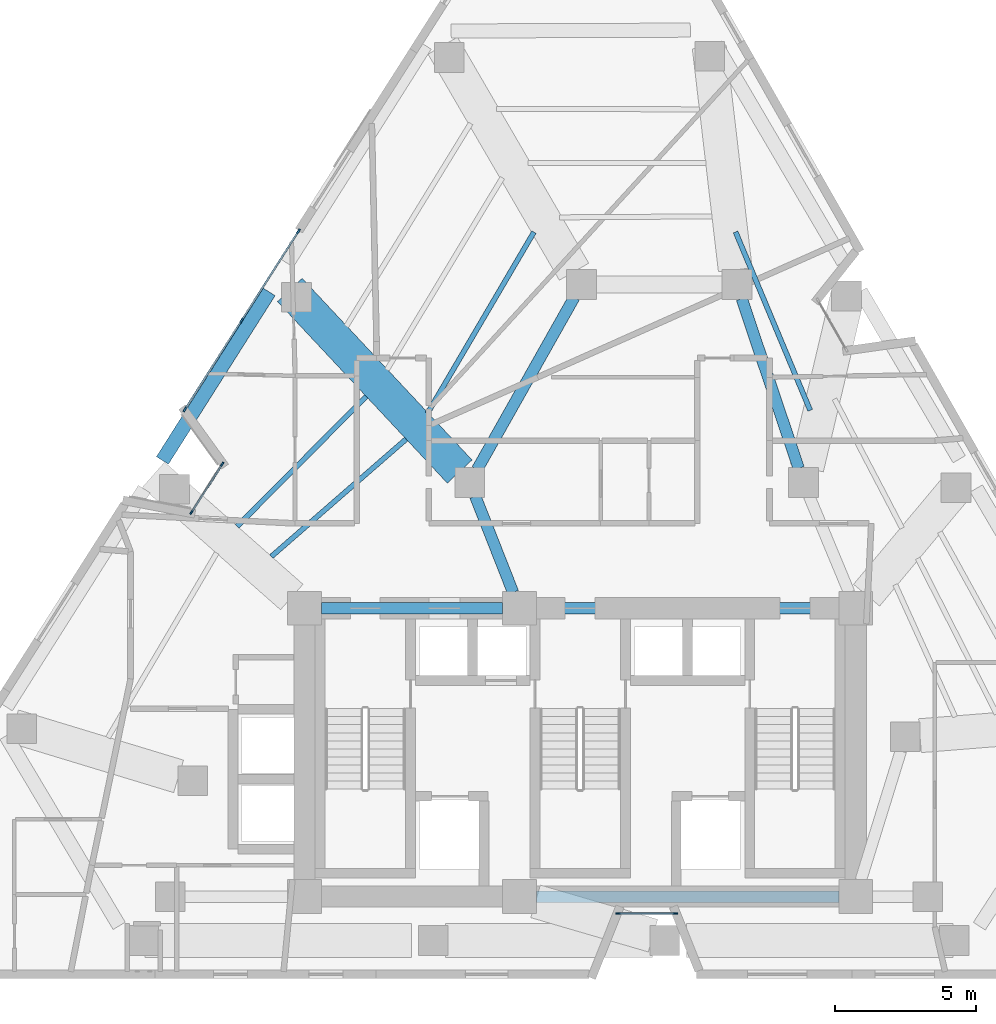
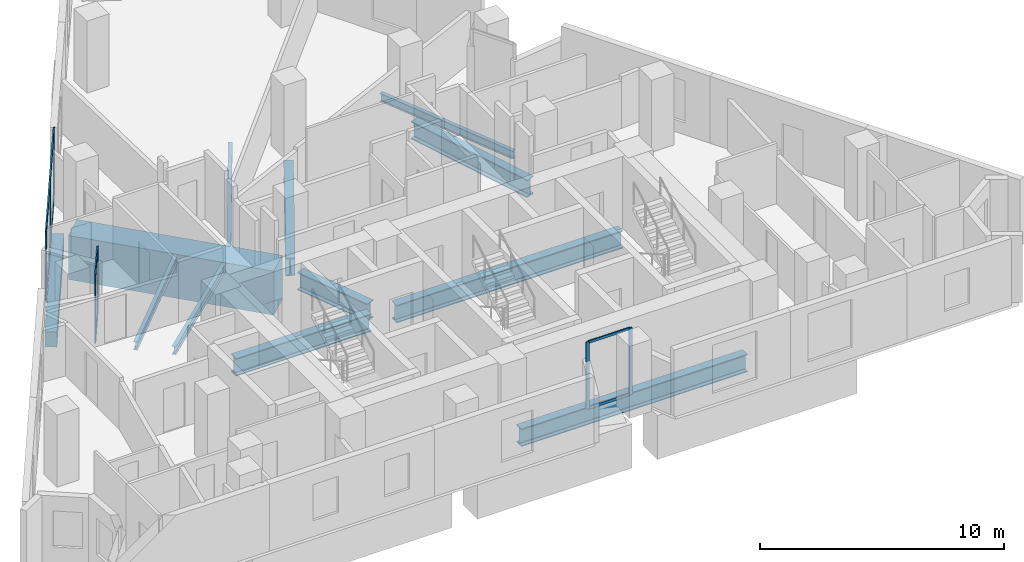
# One storey, part 2 of 12: 15 members, 12 beams, 3 elements without a shape of their own.
"""IFC4 building model written with IfcOpenShell, lengths in metres."""

from ifc_helpers import new_model, si_unit, direction, frame, origin, origin_2d, place, context, subcontext, project, spatial, rectangle, i_section, extrude, material, layer, layer_set, material_profile, profile_set, type_object, element, aggregate, save


model = new_model("IFC4")

# Units and contexts
model_context = context("Model", 3, precision=1e-05, world=origin(), true_north=direction((0.0, 1.0)))
body_context = subcontext(model_context, "Body", "Model", "MODEL_VIEW")
ifc_project = project(units=[si_unit("LENGTHUNIT", "METRE"), si_unit("AREAUNIT", "SQUARE_METRE"), si_unit("VOLUMEUNIT", "CUBIC_METRE"), si_unit("PLANEANGLEUNIT", "RADIAN"), si_unit("MASSUNIT", "GRAM", prefix="KILO")], contexts=[model_context])

# Site, building, storey
site_placement = place(None, origin())
site = spatial("IfcSite", under=ifc_project, at=site_placement, CompositionType="ELEMENT")
building_placement = place(site_placement, origin())
building = spatial("IfcBuilding", under=site, at=building_placement, Name="Almagre Mirador Tower", CompositionType="ELEMENT")
storey_placement = place(building_placement, frame((0.0, 0.0, 132.0)))
storey = spatial("IfcBuildingStorey", under=building, at=storey_placement, Name="L33", CompositionType="ELEMENT", Elevation=132.0)

# Beams
ifc_material_1 = material(Name="Steel ASTM A992 Grade 50", Category="steel")
ifc_material_profile_1 = material_profile(ifc_material_1, i_section(OverallWidth=0.178955078125, OverallDepth=0.408935546875, WebThickness=0.0087890625, FlangeThickness=0.014404296875, FilletRadius=0.013916015625, at=origin_2d()), Name="W16X45")
ifc_profile_set_1 = profile_set([ifc_material_profile_1], Name="Steel ASTM A992 Grade 50")
beam_type_1 = type_object("IfcBeamType", Name="BM-JST-W16X45", PredefinedType="JOIST", material=ifc_profile_set_1)
beam_1_placement = place(storey_placement, frame((45.439208984375, 21.748779296875, -0.45458984375), z_axis=(-0.385897257161, 0.922541764321, 0.0), x_axis=(-0.922541764321, -0.385897257161, 0.0)))
element("IfcBeam", 1, at=beam_1_placement, inside=storey, type_object=beam_type_1, Name="L33 secondary floor joist PC07-PC08.3", PredefinedType="JOIST", context=body_context, shape_type="SweptSolid", body=[
    extrude(i_section(OverallWidth=0.178955078125, OverallDepth=0.408935546875, WebThickness=0.0087890625, FlangeThickness=0.014404296875, FilletRadius=0.013916015625, at=origin_2d()), origin(), (0.0, 0.0, 1.0), 6.8408203125),
])
beam_2_placement = place(storey_placement, frame((35.668212890625, 28.054931640625, -0.45458984375), z_axis=(-0.506361405835, -0.862321359286, 0.0), x_axis=(0.862321359286, -0.506361405835, 0.0)))
element("IfcBeam", 2, at=beam_2_placement, inside=storey, type_object=beam_type_1, Name="L33 secondary floor joist PC09-PC10.3", PredefinedType="JOIST", context=body_context, shape_type="SweptSolid", body=[
    extrude(i_section(OverallWidth=0.178955078125, OverallDepth=0.408935546875, WebThickness=0.0087890625, FlangeThickness=0.014404296875, FilletRadius=0.013916015625, at=origin_2d()), origin(), (0.0, 0.0, 1.0), 7.43603515625),
])
beam_3_placement = place(storey_placement, frame((29.734130859375, 22.2412109375, -0.45458984375), z_axis=(-0.704556154296, -0.70964824064, 0.0), x_axis=(0.70964824064, -0.704556154296, 0.0)))
element("IfcBeam", 3, at=beam_3_placement, inside=storey, type_object=beam_type_1, Name="L33 secondary floor joist PC10-PC11.2", PredefinedType="JOIST", context=body_context, shape_type="SweptSolid", body=[
    extrude(i_section(OverallWidth=0.178955078125, OverallDepth=0.408935546875, WebThickness=0.0087890625, FlangeThickness=0.014404296875, FilletRadius=0.013916015625, at=origin_2d()), origin(), (0.0, 0.0, 1.0), 6.47265625),
])
beam_4_placement = place(storey_placement, frame((31.146484375, 20.731201171875, -0.45458984375), z_axis=(-0.754117373052, -0.656739665058, 0.0), x_axis=(0.656739665058, -0.754117373052, 0.0)))
element("IfcBeam", 4, at=beam_4_placement, inside=storey, type_object=beam_type_1, Name="L33 secondary floor joist PC10-PC11.3", PredefinedType="JOIST", context=body_context, shape_type="SweptSolid", body=[
    extrude(i_section(OverallWidth=0.178955078125, OverallDepth=0.408935546875, WebThickness=0.0087890625, FlangeThickness=0.014404296875, FilletRadius=0.013916015625, at=origin_2d()), origin(), (0.0, 0.0, 1.0), 6.322998046875),
])
ifc_material_2 = material(Name="Precast concrete C50/60", Category="concrete")
ifc_material_profile_2 = material_profile(ifc_material_2, rectangle(XDim=0.5, YDim=0.75, at=origin_2d()), Name="RC500X750")
ifc_profile_set_2 = profile_set([ifc_material_profile_2], Name="Precast concrete C50/60")
beam_type_2 = type_object("IfcBeamType", Name="BM-SPN-RC500X750", PredefinedType="SPANDREL", material=ifc_profile_set_2)
beam_5_placement = place(storey_placement, frame((26.301025390625, 25.93896484375, -0.625), z_axis=(-0.534879207885, -0.844928537198, 0.0), x_axis=(0.844928537198, -0.534879207885, 0.0)))
element("IfcBeam", 5, at=beam_5_placement, inside=storey, type_object=beam_type_2, Name="L33 perimeter spandrel beam PC10-PC11", PredefinedType="SPANDREL", context=body_context, shape_type="SweptSolid", body=[
    extrude(rectangle(XDim=0.5, YDim=0.75, at=origin_2d()), origin(), (0.0, 0.0, 1.0), 7.05615234375),
])
ifc_material_3 = material(Name="Steel ASTM A992 Grade 50", Category="steel")
ifc_material_profile_3 = material_profile(ifc_material_3, i_section(OverallWidth=0.404052734375, OverallDepth=0.884033203125, WebThickness=0.0244140625, FlangeThickness=0.0439453125, FilletRadius=0.02490234375, at=origin_2d()), Name="W33X291")
ifc_profile_set_3 = profile_set([ifc_material_profile_3], Name="Steel ASTM A992 Grade 50")
beam_type_3 = type_object("IfcBeamType", Name="BM-STL-W33X291", PredefinedType="BEAM", material=ifc_profile_set_3)
beam_6_placement = place(storey_placement, frame((35.75, 4.550048828125, -0.69189453125), z_axis=(1.0, 0.0, 0.0), x_axis=(0.0, 1.0, 0.0)))
element("IfcBeam", 6, at=beam_6_placement, inside=storey, type_object=beam_type_3, Name="L33 core tie girder CC2-CC3", PredefinedType="BEAM", context=body_context, shape_type="SweptSolid", body=[
    extrude(i_section(OverallWidth=0.404052734375, OverallDepth=0.884033203125, WebThickness=0.0244140625, FlangeThickness=0.0439453125, FilletRadius=0.02490234375, at=origin_2d()), origin(), (0.0, 0.0, 1.0), 10.699951171875),
])
beam_7_placement = place(storey_placement, frame((28.14990234375, 14.75, -0.69189453125), z_axis=(1.0, 0.0, 0.0), x_axis=(0.0, 1.0, 0.0)))
element("IfcBeam", 7, at=beam_7_placement, inside=storey, type_object=beam_type_3, Name="L33 core tie girder CC4-CC5", PredefinedType="BEAM", context=body_context, shape_type="SweptSolid", body=[
    extrude(i_section(OverallWidth=0.404052734375, OverallDepth=0.884033203125, WebThickness=0.0244140625, FlangeThickness=0.0439453125, FilletRadius=0.02490234375, at=origin_2d()), origin(), (0.0, 0.0, 1.0), 6.400146484375),
])
beam_8_placement = place(storey_placement, frame((35.75, 14.75, -0.69189453125), z_axis=(1.0, 0.0, 0.0), x_axis=(0.0, 1.0, 0.0)))
element("IfcBeam", 8, at=beam_8_placement, inside=storey, type_object=beam_type_3, Name="L33 core tie girder CC5-CC6", PredefinedType="BEAM", context=body_context, shape_type="SweptSolid", body=[
    extrude(i_section(OverallWidth=0.404052734375, OverallDepth=0.884033203125, WebThickness=0.0244140625, FlangeThickness=0.0439453125, FilletRadius=0.02490234375, at=origin_2d()), origin(), (0.0, 0.0, 1.0), 10.699951171875),
])
beam_9_placement = place(storey_placement, frame((43.01708984375, 25.702392578125, -0.69189453125), z_axis=(0.318262189587, -0.948002731367, 0.0), x_axis=(0.948002731367, 0.318262189587, 0.0)))
element("IfcBeam", 9, at=beam_9_placement, inside=storey, type_object=beam_type_3, Name="L33 core tie girder MC6-MC5", PredefinedType="BEAM", context=body_context, shape_type="SweptSolid", body=[
    extrude(i_section(OverallWidth=0.404052734375, OverallDepth=0.884033203125, WebThickness=0.0244140625, FlangeThickness=0.0439453125, FilletRadius=0.02490234375, at=origin_2d()), origin(), (0.0, 0.0, 1.0), 6.333984375),
])
beam_10_placement = place(storey_placement, frame((37.092041015625, 25.742919921875, -0.69189453125), z_axis=(-0.491443510044, -0.870909453638, 0.0), x_axis=(0.870909453638, -0.491443510044, 0.0)))
element("IfcBeam", 10, at=beam_10_placement, inside=storey, type_object=beam_type_3, Name="L33 core tie girder MC7-MC8", PredefinedType="BEAM", context=body_context, shape_type="SweptSolid", body=[
    extrude(i_section(OverallWidth=0.404052734375, OverallDepth=0.884033203125, WebThickness=0.0244140625, FlangeThickness=0.0439453125, FilletRadius=0.02490234375, at=origin_2d()), origin(), (0.0, 0.0, 1.0), 6.98779296875),
])
beam_11_placement = place(storey_placement, frame((33.592041015625, 18.71142578125, -0.69189453125), z_axis=(0.365997304164, -0.930615910752, 0.0), x_axis=(0.930615910752, 0.365997304164, 0.0)))
element("IfcBeam", 11, at=beam_11_placement, inside=storey, type_object=beam_type_3, Name="L33 core tie girder MC8-CC5", PredefinedType="BEAM", context=body_context, shape_type="SweptSolid", body=[
    extrude(i_section(OverallWidth=0.404052734375, OverallDepth=0.884033203125, WebThickness=0.0244140625, FlangeThickness=0.0439453125, FilletRadius=0.02490234375, at=origin_2d()), origin(), (0.0, 0.0, 1.0), 3.65673828125),
])
ifc_material_4 = material(Name="Concrete C60/75", Category="concrete")
ifc_material_profile_4 = material_profile(ifc_material_4, rectangle(XDim=1.199951171875, YDim=2.199951171875, at=origin_2d()), Name="RC1200X2200")
ifc_profile_set_4 = profile_set([ifc_material_profile_4], Name="Concrete C60/75")
beam_type_4 = type_object("IfcBeamType", Name="BM-XFER-RC1200X2200", PredefinedType="BEAM", material=ifc_profile_set_4)
beam_12_placement = place(storey_placement, frame((27.031982421875, 26.0078125, -1.35009765625), z_axis=(0.683137553651, -0.73028972524, 0.0), x_axis=(0.73028972524, 0.683137553651, 0.0)))
element("IfcBeam", 12, at=beam_12_placement, inside=storey, type_object=beam_type_4, Name="L33 radial transfer girder PC10-MC8", PredefinedType="BEAM", context=body_context, shape_type="SweptSolid", body=[
    extrude(rectangle(XDim=1.199951171875, YDim=2.199951171875, at=origin_2d()), origin(), (0.0, 0.0, 1.0), 8.796875),
])

# Curtain wall, members
ifc_material_5 = material(Name="Black anodized aluminium", Category="aluminium")
ifc_layer_1 = layer(ifc_material_5, 0.169921875)
ifc_layer_set_1 = layer_set([ifc_layer_1], Name="Black anodized aluminium")
curtain_wall_type_1 = type_object("IfcCurtainWallType", Name="CW-CRS-SYS", PredefinedType="NOTDEFINED", material=ifc_layer_set_1)
curtain_wall_1_placement = place(storey_placement, origin())
curtain_wall_1 = element("IfcCurtainWall", 13, at=curtain_wall_1_placement, inside=storey, type_object=curtain_wall_type_1, Name="L33 vertical crease curtain wall 01", PredefinedType="NOTDEFINED")
ifc_material_6 = material(Name="Black anodized aluminium", Category="aluminium")
ifc_material_profile_5 = material_profile(ifc_material_6, rectangle(XDim=0.06005859375, YDim=0.14990234375, at=origin_2d()), Name="CWM60X150")
ifc_profile_set_5 = profile_set([ifc_material_profile_5], Name="Black anodized aluminium")
member_type_1 = type_object("IfcMemberType", Name="MBR-CWM60X150", PredefinedType="MULLION", material=ifc_profile_set_5)
member_1_placement = place(storey_placement, frame((23.552001953125, 18.13720703125, 0.0), z_axis=(0.0, 0.0, 1.0), x_axis=(-0.843286851254, 0.537463753664, 0.0)))
member_1 = element("IfcMember", 14, at=member_1_placement, type_object=member_type_1, Name="CW-4 mullion 1", PredefinedType="MULLION", context=body_context, shape_type="SweptSolid", body=[
    extrude(rectangle(XDim=0.06005859375, YDim=0.14990234375, at=origin_2d()), origin(), (0.0, 0.0, 1.0), 3.35009765625),
])
member_2_placement = place(storey_placement, frame((24.642822265625, 19.8486328125, 0.0), z_axis=(0.0, 0.0, 1.0), x_axis=(-0.843286851254, 0.537463753664, 0.0)))
member_2 = element("IfcMember", 15, at=member_2_placement, type_object=member_type_1, Name="CW-4 mullion 2", PredefinedType="MULLION", context=body_context, shape_type="SweptSolid", body=[
    extrude(rectangle(XDim=0.06005859375, YDim=0.14990234375, at=origin_2d()), origin(), (0.0, 0.0, 1.0), 3.35009765625),
])

curtain_wall_2_placement = place(storey_placement, origin())
curtain_wall_2 = element("IfcCurtainWall", 16, at=curtain_wall_2_placement, inside=storey, type_object=curtain_wall_type_1, Name="L33 vertical crease curtain wall 04", PredefinedType="NOTDEFINED")
member_3_placement = place(storey_placement, frame((40.6708984375, 3.949951171875, 0.0), z_axis=(0.0, 0.0, 1.0), x_axis=(0.0, -1.0, 0.0)))
member_3 = element("IfcMember", 17, at=member_3_placement, type_object=member_type_1, Name="CW-4 mullion 1", PredefinedType="MULLION", context=body_context, shape_type="SweptSolid", body=[
    extrude(rectangle(XDim=0.06005859375, YDim=0.14990234375, at=origin_2d()), origin(), (0.0, 0.0, 1.0), 3.35009765625),
])
member_4_placement = place(storey_placement, frame((38.64111328125, 3.949951171875, 0.0), z_axis=(0.0, 0.0, 1.0), x_axis=(0.0, -1.0, 0.0)))
member_4 = element("IfcMember", 18, at=member_4_placement, type_object=member_type_1, Name="CW-4 mullion 2", PredefinedType="MULLION", context=body_context, shape_type="SweptSolid", body=[
    extrude(rectangle(XDim=0.06005859375, YDim=0.14990234375, at=origin_2d()), origin(), (0.0, 0.0, 1.0), 3.35009765625),
])

ifc_material_7 = material(Name="Black anodized aluminium", Category="aluminium")
ifc_layer_2 = layer(ifc_material_7, 0.199951171875)
ifc_layer_set_2 = layer_set([ifc_layer_2], Name="Black anodized aluminium")
curtain_wall_type_2 = type_object("IfcCurtainWallType", Name="CW-RES-H-SYS", PredefinedType="NOTDEFINED", material=ifc_layer_set_2)
curtain_wall_3_placement = place(storey_placement, origin())
curtain_wall_3 = element("IfcCurtainWall", 19, at=curtain_wall_3_placement, inside=storey, type_object=curtain_wall_type_2, Name="L33 curtain wall run 02", PredefinedType="NOTDEFINED")
ifc_material_8 = material(Name="Black anodized aluminium", Category="aluminium")
ifc_material_profile_6 = material_profile(ifc_material_8, rectangle(XDim=0.06494140625, YDim=0.179931640625, at=origin_2d()), Name="CWM65X180")
ifc_profile_set_6 = profile_set([ifc_material_profile_6], Name="Black anodized aluminium")
member_type_2 = type_object("IfcMemberType", Name="MBR-CWM65X180", PredefinedType="MULLION", material=ifc_profile_set_6)
member_5_placement = place(storey_placement, frame((23.321533203125, 21.77734375, 0.0), z_axis=(0.0, 0.0, 1.0), x_axis=(-0.843507964593, 0.537116666719, 0.0)))
member_5 = element("IfcMember", 20, at=member_5_placement, type_object=member_type_2, Name="CW-3 mullion 1", PredefinedType="MULLION", context=body_context, shape_type="SweptSolid", body=[
    extrude(rectangle(XDim=0.06494140625, YDim=0.179931640625, at=origin_2d()), origin(), (0.0, 0.0, 1.0), 3.35009765625),
])
member_6_placement = place(storey_placement, frame((25.32861328125, 24.929443359375, 0.0), z_axis=(0.0, 0.0, 1.0), x_axis=(-0.843507964593, 0.537116666719, 0.0)))
member_6 = element("IfcMember", 21, at=member_6_placement, type_object=member_type_2, Name="CW-3 mullion 2", PredefinedType="MULLION", context=body_context, shape_type="SweptSolid", body=[
    extrude(rectangle(XDim=0.06494140625, YDim=0.179931640625, at=origin_2d()), origin(), (0.0, 0.0, 1.0), 3.35009765625),
])
member_7_placement = place(storey_placement, frame((27.33544921875, 28.081298828125, 0.0), z_axis=(0.0, 0.0, 1.0), x_axis=(-0.843507964593, 0.537116666719, 0.0)))
member_7 = element("IfcMember", 22, at=member_7_placement, type_object=member_type_2, Name="CW-3 mullion 3", PredefinedType="MULLION", context=body_context, shape_type="SweptSolid", body=[
    extrude(rectangle(XDim=0.06494140625, YDim=0.179931640625, at=origin_2d()), origin(), (0.0, 0.0, 1.0), 3.35009765625),
])

# Member
ifc_material_9 = material(Name="Black anodized aluminium", Category="aluminium")
ifc_material_profile_7 = material_profile(ifc_material_9, rectangle(XDim=0.06005859375, YDim=0.1298828125, at=origin_2d()), Name="CWT60X130")
ifc_profile_set_7 = profile_set([ifc_material_profile_7], Name="Black anodized aluminium")
member_type_3 = type_object("IfcMemberType", Name="MBR-CWT60X130", PredefinedType="USERDEFINED", material=ifc_profile_set_7)
member_8_placement = place(storey_placement, frame((23.568359375, 18.16259765625, 0.030029296875), z_axis=(0.5373887542, 0.843334647017, 0.0), x_axis=(-0.843334647017, 0.5373887542, 0.0)))
member_8 = element("IfcMember", 23, at=member_8_placement, type_object=member_type_3, Name="CW-4 transom 1.1", ObjectType="TRANSOM", PredefinedType="USERDEFINED", context=body_context, shape_type="SweptSolid", body=[
    extrude(rectangle(XDim=0.06005859375, YDim=0.1298828125, at=origin_2d()), origin(), (0.0, 0.0, 1.0), 1.969482421875),
])

member_9_placement = place(storey_placement, frame((23.568359375, 18.16259765625, 3.320068359375), z_axis=(0.5373887542, 0.843334647017, 0.0), x_axis=(-0.843334647017, 0.5373887542, 0.0)))
member_9 = element("IfcMember", 24, at=member_9_placement, type_object=member_type_3, Name="CW-4 transom 1.2", ObjectType="TRANSOM", PredefinedType="USERDEFINED", context=body_context, shape_type="SweptSolid", body=[
    extrude(rectangle(XDim=0.06005859375, YDim=0.1298828125, at=origin_2d()), origin(), (0.0, 0.0, 1.0), 1.969482421875),
])

aggregate(curtain_wall_1, [member_1, member_2, member_8, member_9])

member_10_placement = place(storey_placement, frame((40.64111328125, 3.949951171875, 0.030029296875), z_axis=(-1.0, 0.0, 0.0), x_axis=(0.0, -1.0, 0.0)))
member_10 = element("IfcMember", 25, at=member_10_placement, type_object=member_type_3, Name="CW-4 transom 1.1", ObjectType="TRANSOM", PredefinedType="USERDEFINED", context=body_context, shape_type="SweptSolid", body=[
    extrude(rectangle(XDim=0.06005859375, YDim=0.1298828125, at=origin_2d()), origin(), (0.0, 0.0, 1.0), 1.97021484375),
])

member_11_placement = place(storey_placement, frame((40.64111328125, 3.949951171875, 3.320068359375), z_axis=(-1.0, 0.0, 0.0), x_axis=(0.0, -1.0, 0.0)))
member_11 = element("IfcMember", 26, at=member_11_placement, type_object=member_type_3, Name="CW-4 transom 1.2", ObjectType="TRANSOM", PredefinedType="USERDEFINED", context=body_context, shape_type="SweptSolid", body=[
    extrude(rectangle(XDim=0.06005859375, YDim=0.1298828125, at=origin_2d()), origin(), (0.0, 0.0, 1.0), 1.97021484375),
])

aggregate(curtain_wall_2, [member_3, member_4, member_10, member_11])

ifc_material_10 = material(Name="Black anodized aluminium", Category="aluminium")
ifc_material_profile_8 = material_profile(ifc_material_10, rectangle(XDim=0.06494140625, YDim=0.14990234375, at=origin_2d()), Name="CWT65X150")
ifc_profile_set_8 = profile_set([ifc_material_profile_8], Name="Black anodized aluminium")
member_type_4 = type_object("IfcMemberType", Name="MBR-CWT65X150", PredefinedType="USERDEFINED", material=ifc_profile_set_8)
member_12_placement = place(storey_placement, frame((23.3388671875, 21.804931640625, 0.032470703125), z_axis=(0.537146529353, 0.843488948359, 0.0), x_axis=(-0.843488948359, 0.537146529353, 0.0)))
member_12 = element("IfcMember", 27, at=member_12_placement, type_object=member_type_4, Name="CW-3 transom 1.1", ObjectType="TRANSOM", PredefinedType="USERDEFINED", context=body_context, shape_type="SweptSolid", body=[
    extrude(rectangle(XDim=0.06494140625, YDim=0.14990234375, at=origin_2d()), origin(), (0.0, 0.0, 1.0), 3.671630859375),
])

member_13_placement = place(storey_placement, frame((23.3388671875, 21.804931640625, 3.3173828125), z_axis=(0.537146529353, 0.843488948359, 0.0), x_axis=(-0.843488948359, 0.537146529353, 0.0)))
member_13 = element("IfcMember", 28, at=member_13_placement, type_object=member_type_4, Name="CW-3 transom 1.2", ObjectType="TRANSOM", PredefinedType="USERDEFINED", context=body_context, shape_type="SweptSolid", body=[
    extrude(rectangle(XDim=0.06494140625, YDim=0.14990234375, at=origin_2d()), origin(), (0.0, 0.0, 1.0), 3.671630859375),
])

member_14_placement = place(storey_placement, frame((25.345947265625, 24.956787109375, 0.032470703125), z_axis=(0.537116403339, 0.843508132305, 0.0), x_axis=(-0.843508132305, 0.537116403339, 0.0)))
member_14 = element("IfcMember", 29, at=member_14_placement, type_object=member_type_4, Name="CW-3 transom 2.1", ObjectType="TRANSOM", PredefinedType="USERDEFINED", context=body_context, shape_type="SweptSolid", body=[
    extrude(rectangle(XDim=0.06494140625, YDim=0.14990234375, at=origin_2d()), origin(), (0.0, 0.0, 1.0), 3.671875),
])

member_15_placement = place(storey_placement, frame((25.345947265625, 24.956787109375, 3.3173828125), z_axis=(0.537116403339, 0.843508132305, 0.0), x_axis=(-0.843508132305, 0.537116403339, 0.0)))
member_15 = element("IfcMember", 30, at=member_15_placement, type_object=member_type_4, Name="CW-3 transom 2.2", ObjectType="TRANSOM", PredefinedType="USERDEFINED", context=body_context, shape_type="SweptSolid", body=[
    extrude(rectangle(XDim=0.06494140625, YDim=0.14990234375, at=origin_2d()), origin(), (0.0, 0.0, 1.0), 3.671875),
])

aggregate(curtain_wall_3, [member_5, member_6, member_7, member_12, member_13, member_14, member_15])

save(model, "model.ifc")
